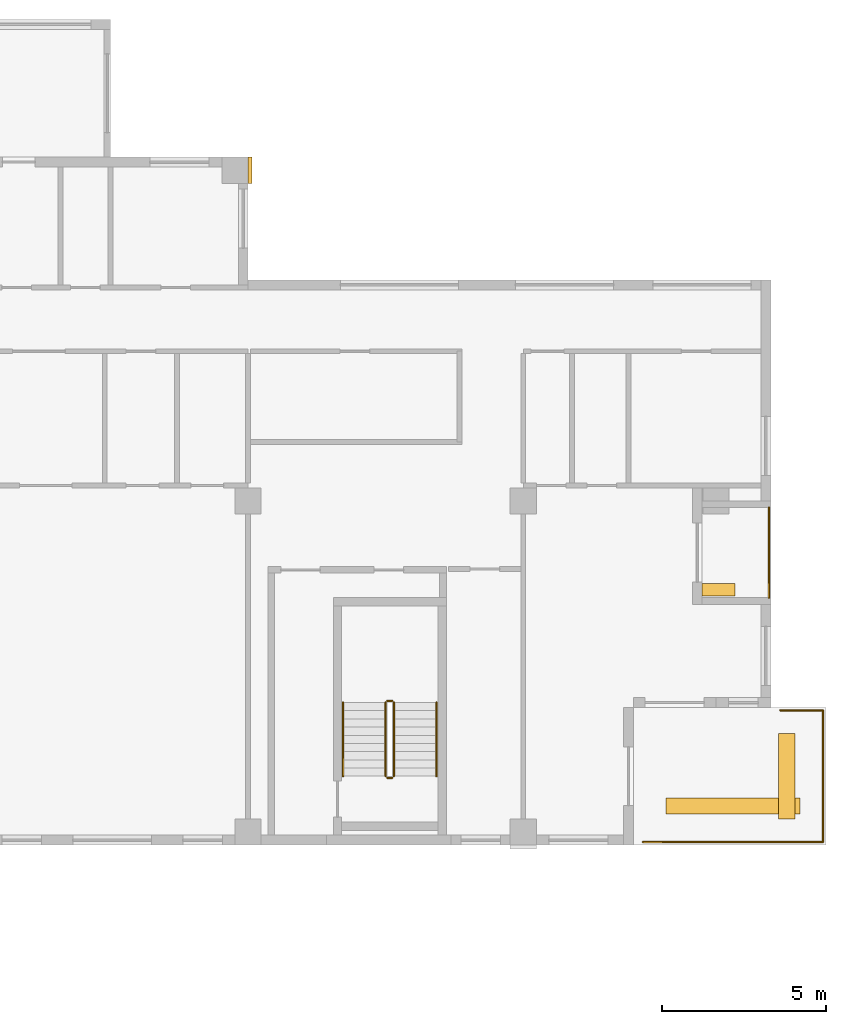
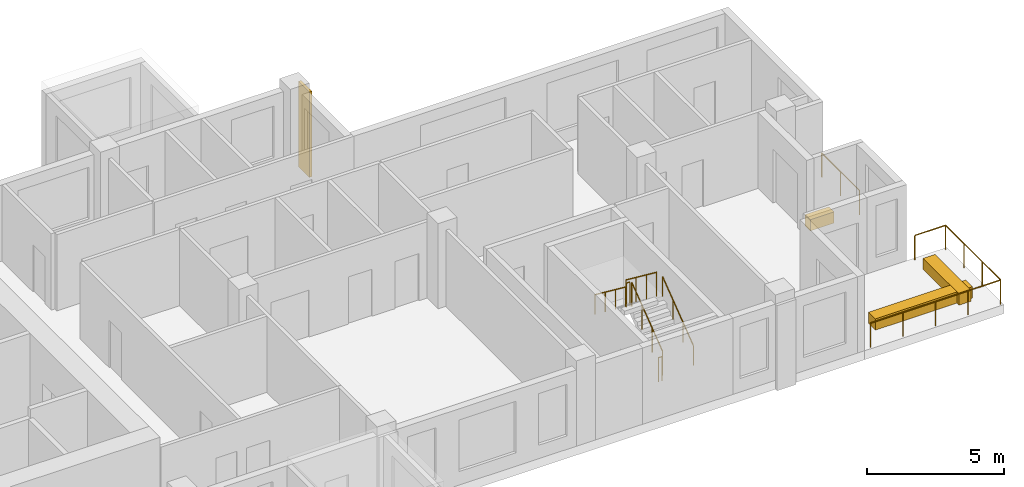
# One storey, part 11 of 12: 10 railings, 4 coverings.
"""IFC4 building model written with IfcOpenShell, lengths in metres."""

from ifc_helpers import new_model, si_unit, direction, frame, origin, origin_2d, place, context, subcontext, project, spatial, rectangle, circle, extrude, source, transform, mapped, material, type_object, element, save


model = new_model("IFC4")

# Units and contexts
model_context = context("Model", 3, precision=1e-05, world=origin(), true_north=direction((0.0, 1.0)))
body_context = subcontext(model_context, "Body", "Model", "MODEL_VIEW")
ifc_project = project(units=[si_unit("LENGTHUNIT", "METRE"), si_unit("AREAUNIT", "SQUARE_METRE"), si_unit("VOLUMEUNIT", "CUBIC_METRE"), si_unit("PLANEANGLEUNIT", "RADIAN"), si_unit("MASSUNIT", "GRAM", prefix="KILO")], contexts=[model_context])

# Site, building, storey
site_placement = place(None, origin())
site = spatial("IfcSite", under=ifc_project, at=site_placement, CompositionType="ELEMENT")
building_placement = place(site_placement, origin())
building = spatial("IfcBuilding", under=site, at=building_placement, Name="Aurelian Terraces", CompositionType="ELEMENT")
storey_placement = place(building_placement, frame((0.0, 0.0, 234.8)))
storey = spatial("IfcBuildingStorey", under=building, at=storey_placement, Name="L53", CompositionType="ELEMENT", Elevation=234.8)

# Railing
ifc_material_1 = material(Name="Anodised aluminium", Category="aluminium")
railing_type_1 = type_object("IfcRailingType", Name="GUARD-1100", PredefinedType="GUARDRAIL", material=ifc_material_1)
railing_1_placement = place(storey_placement, frame((54.046, 4.11, 0.0)))
element("IfcRailing", 1, at=railing_1_placement, inside=storey, type_object=railing_type_1, Name="Terrace guard L53 L53-X1.1", PredefinedType="GUARDRAIL", context=body_context, shape_type="SweptSolid", body=[
    extrude(circle(Radius=0.024, at=origin_2d()), frame((0.0, 0.0, 1.076), z_axis=(1.0, 0.0, 0.0), x_axis=(0.0, 1.0, 0.0)), (0.0, 0.0, 1.0), 1.304),
    extrude(circle(Radius=0.021, at=origin_2d()), origin(), (0.0, 0.0, 1.0), 1.052),
    extrude(circle(Radius=0.021, at=origin_2d()), frame((1.304, 0.0, 0.0)), (0.0, 0.0, 1.0), 1.052),
])

# Covering
ifc_material_2 = material(Name="Terracotta planter with planting soil", Category="masonry")
covering_type_1 = type_object("IfcCoveringType", Name="PLANTER-TROUGH", PredefinedType="USERDEFINED", material=ifc_material_2)
shared_shape_1 = source(origin(), body_context, "Body", "SweptSolid", [
    extrude(rectangle(XDim=4.09, YDim=0.5, at=origin_2d()), origin(), (0.0, 0.0, 1.0), 0.5),
])
covering_1_placement = place(storey_placement, frame((52.605, 1.19, 0.0), z_axis=(0.0, 0.0, 1.0), x_axis=(1.0, 0.0, 0.0)))
element("IfcCovering", 2, at=covering_1_placement, inside=storey, type_object=covering_type_1, Name="PLANTER L53 terrace L53-X1-2.1", ObjectType="PLANTER", PredefinedType="USERDEFINED", context=body_context, shape_type="MappedRepresentation", body=[
    mapped(shared_shape_1, transform((0.0, 0.0, 0.0), scale=1.0)),
])

# Railing
shared_shape_2 = source(origin(), body_context, "Body", "SweptSolid", [
    extrude(circle(Radius=0.024, at=origin_2d()), frame((0.0, 0.0, 1.076), z_axis=(0.0, -1.0, 0.0), x_axis=(1.0, 0.0, 0.0)), (0.0, 0.0, 1.0), 4.02),
    extrude(circle(Radius=0.021, at=origin_2d()), origin(), (0.0, 0.0, 1.0), 1.052),
    extrude(circle(Radius=0.021, at=origin_2d()), frame((0.0, -1.34, 0.0)), (0.0, 0.0, 1.0), 1.052),
    extrude(circle(Radius=0.021, at=origin_2d()), frame((0.0, -2.68, 0.0)), (0.0, 0.0, 1.0), 1.052),
    extrude(circle(Radius=0.021, at=origin_2d()), frame((0.0, -4.02, 0.0)), (0.0, 0.0, 1.0), 1.052),
])
railing_2_placement = place(storey_placement, frame((55.35, 4.11, 0.0)))
element("IfcRailing", 3, at=railing_2_placement, inside=storey, type_object=railing_type_1, Name="Terrace guard L53 L53-X1.2", PredefinedType="GUARDRAIL", context=body_context, shape_type="MappedRepresentation", body=[
    mapped(shared_shape_2, transform((0.0, 0.0, 0.0), scale=1.0)),
])

# Covering
shared_shape_3 = source(origin(), body_context, "Body", "SweptSolid", [
    extrude(rectangle(XDim=0.5, YDim=2.62, at=origin_2d()), origin(), (0.0, 0.0, 1.0), 0.5),
])
covering_2_placement = place(storey_placement, frame((54.25, 2.1, 0.0), z_axis=(0.0, 0.0, 1.0), x_axis=(1.0, 0.0, 0.0)))
element("IfcCovering", 4, at=covering_2_placement, inside=storey, type_object=covering_type_1, Name="PLANTER L53 terrace L53-X1-1.1", ObjectType="PLANTER", PredefinedType="USERDEFINED", context=body_context, shape_type="MappedRepresentation", body=[
    mapped(shared_shape_3, transform((0.0, 0.0, 0.0), scale=1.0)),
])

# Railings
shared_shape_4 = source(origin(), body_context, "Body", "SweptSolid", [
    extrude(circle(Radius=0.024, at=origin_2d()), frame((0.0, 0.0, 1.076), z_axis=(-1.0, 0.0, 0.0), x_axis=(0.0, -1.0, 0.0)), (0.0, 0.0, 1.0), 5.49),
    extrude(circle(Radius=0.021, at=origin_2d()), origin(), (0.0, 0.0, 1.0), 1.052),
    extrude(circle(Radius=0.021, at=origin_2d()), frame((-1.3725, 0.0, 0.0)), (0.0, 0.0, 1.0), 1.052),
    extrude(circle(Radius=0.021, at=origin_2d()), frame((-2.745, 0.0, 0.0)), (0.0, 0.0, 1.0), 1.052),
    extrude(circle(Radius=0.021, at=origin_2d()), frame((-4.1175, 0.0, 0.0)), (0.0, 0.0, 1.0), 1.052),
    extrude(circle(Radius=0.021, at=origin_2d()), frame((-5.49, 0.0, 0.0)), (0.0, 0.0, 1.0), 1.052),
])
railing_3_placement = place(storey_placement, frame((55.35, 0.09, 0.0)))
element("IfcRailing", 5, at=railing_3_placement, inside=storey, type_object=railing_type_1, Name="Terrace guard L53 L53-X1.3", PredefinedType="GUARDRAIL", context=body_context, shape_type="MappedRepresentation", body=[
    mapped(shared_shape_4, transform((0.0, 0.0, 0.0), scale=1.0)),
])
shared_shape_5 = source(origin(), body_context, "Body", "SweptSolid", [
    extrude(circle(Radius=0.024, at=origin_2d()), frame((0.0, 0.0, 1.076), z_axis=(0.0, 1.0, 0.0), x_axis=(-1.0, 0.0, 0.0)), (0.0, 0.0, 1.0), 2.75),
    extrude(circle(Radius=0.021, at=origin_2d()), origin(), (0.0, 0.0, 1.0), 1.052),
    extrude(circle(Radius=0.021, at=origin_2d()), frame((0.0, 1.375, 0.0)), (0.0, 0.0, 1.0), 1.052),
    extrude(circle(Radius=0.021, at=origin_2d()), frame((0.0, 2.75, 0.0)), (0.0, 0.0, 1.0), 1.052),
])
railing_4_placement = place(storey_placement, frame((53.7, 7.55, 0.05)))
element("IfcRailing", 6, at=railing_4_placement, inside=storey, type_object=railing_type_1, Name="Loggia guard L53 F04.11", PredefinedType="GUARDRAIL", context=body_context, shape_type="MappedRepresentation", body=[
    mapped(shared_shape_5, transform((0.0, 0.0, 0.0), scale=1.0)),
])

# Coverings
shared_shape_6 = source(origin(), body_context, "Body", "SweptSolid", [
    extrude(rectangle(XDim=1.0, YDim=0.38, at=origin_2d()), origin(), (0.0, 0.0, 1.0), 0.5),
])
covering_3_placement = place(storey_placement, frame((52.16, 7.79, 0.0), z_axis=(0.0, 0.0, 1.0), x_axis=(1.0, 0.0, 0.0)))
element("IfcCovering", 7, at=covering_3_placement, inside=storey, type_object=covering_type_1, Name="PLANTER L53 L53-F04-11", ObjectType="PLANTER", PredefinedType="USERDEFINED", context=body_context, shape_type="MappedRepresentation", body=[
    mapped(shared_shape_6, transform((0.0, 0.0, 0.0), scale=1.0)),
])
ifc_material_3 = material(Name="Terracotta rainscreen cladding relief", Category="masonry")
covering_type_2 = type_object("IfcCoveringType", Name="BAGUETTE-TC", PredefinedType="CLADDING", material=ifc_material_3)
shared_shape_7 = source(origin(), body_context, "Body", "SweptSolid", [
    extrude(rectangle(XDim=0.12, YDim=0.8, at=origin_2d()), origin(), (0.0, 0.0, 1.0), 3.8),
])
covering_4_placement = place(storey_placement, frame((37.86, 20.6, -0.4), z_axis=(0.0, 0.0, 1.0), x_axis=(1.0, 0.0, 0.0)))
element("IfcCovering", 8, at=covering_4_placement, inside=storey, type_object=covering_type_2, Name="BAGUETTE pier L53 5", PredefinedType="CLADDING", context=body_context, shape_type="MappedRepresentation", body=[
    mapped(shared_shape_7, transform((0.0, 0.0, 0.0), scale=1.0)),
])

# Railings
ifc_material_4 = material(Name="Stainless steel", Category="steel")
railing_type_2 = type_object("IfcRailingType", Name="Stair guard 1100", PredefinedType="GUARDRAIL", material=ifc_material_4)
shared_shape_8 = source(origin(), body_context, "Body", "SweptSolid", [
    extrude(circle(Radius=0.024, at=origin_2d()), frame((0.0, 0.0, 1.076), z_axis=(-1.0, 0.0, 0.0), x_axis=(0.0, -1.0, 0.0)), (0.0, 0.0, 1.0), 0.15),
    extrude(circle(Radius=0.021, at=origin_2d()), origin(), (0.0, 0.0, 1.0), 1.052),
    extrude(circle(Radius=0.021, at=origin_2d()), frame((-0.15, 0.0, 0.0)), (0.0, 0.0, 1.0), 1.052),
])
for number, where, name in (
    (9, (42.2, 4.4, 1.9), "L53 S2 stair guard 2"),
    (10, (42.2, 2.05, 0.0), "L53 S2 stair guard 4"),
):
    element("IfcRailing", number, at=place(storey_placement, frame(where)), inside=storey, type_object=railing_type_2, Name=name, PredefinedType="GUARDRAIL", context=body_context, shape_type="MappedRepresentation", body=[
        mapped(shared_shape_8, transform((0.0, 0.0, 0.0), scale=1.0)),
    ])
shared_shape_9 = source(origin(), body_context, "Body", "SweptSolid", [
    extrude(circle(Radius=0.024, at=origin_2d()), frame((0.0, 0.0, 1.076), z_axis=(0.0, 0.796162194123, 0.605083267534), x_axis=(-1.0, 0.0, 0.0)), (0.0, 0.0, 1.0), 2.8261),
    extrude(circle(Radius=0.021, at=origin_2d()), origin(), (0.0, 0.0, 1.0), 1.052),
    extrude(circle(Radius=0.021, at=origin_2d()), frame((0.0, 0.75, 0.57)), (0.0, 0.0, 1.0), 1.052),
    extrude(circle(Radius=0.021, at=origin_2d()), frame((0.0, 1.5, 1.14)), (0.0, 0.0, 1.0), 1.052),
    extrude(circle(Radius=0.021, at=origin_2d()), frame((0.0, 2.25, 1.71)), (0.0, 0.0, 1.0), 1.052),
])
railing_5_placement = place(storey_placement, frame((42.25, 2.1, 0.19)))
element("IfcRailing", 11, at=railing_5_placement, inside=storey, type_object=railing_type_2, Name="L53 S2 stair guard 1", PredefinedType="GUARDRAIL", context=body_context, shape_type="MappedRepresentation", body=[
    mapped(shared_shape_9, transform((0.0, 0.0, 0.0), scale=1.0)),
])
shared_shape_10 = source(origin(), body_context, "Body", "SweptSolid", [
    extrude(circle(Radius=0.024, at=origin_2d()), frame((0.0, 0.0, 1.076), z_axis=(0.0, -0.796162194123, 0.605083267534), x_axis=(1.0, 0.0, 0.0)), (0.0, 0.0, 1.0), 2.8261),
    extrude(circle(Radius=0.021, at=origin_2d()), origin(), (0.0, 0.0, 1.0), 1.052),
    extrude(circle(Radius=0.021, at=origin_2d()), frame((0.0, -0.75, 0.57)), (0.0, 0.0, 1.0), 1.052),
    extrude(circle(Radius=0.021, at=origin_2d()), frame((0.0, -1.5, 1.14)), (0.0, 0.0, 1.0), 1.052),
    extrude(circle(Radius=0.021, at=origin_2d()), frame((0.0, -2.25, 1.71)), (0.0, 0.0, 1.0), 1.052),
])
railing_6_placement = place(storey_placement, frame((42.0, 4.35, 2.09)))
element("IfcRailing", 12, at=railing_6_placement, inside=storey, type_object=railing_type_2, Name="L53 S2 stair guard 3", PredefinedType="GUARDRAIL", context=body_context, shape_type="MappedRepresentation", body=[
    mapped(shared_shape_10, transform((0.0, 0.0, 0.0), scale=1.0)),
])
railing_type_3 = type_object("IfcRailingType", Name="Stair handrail", PredefinedType="HANDRAIL", material=ifc_material_4)
shared_shape_11 = source(origin(), body_context, "Body", "SweptSolid", [
    extrude(circle(Radius=0.024, at=origin_2d()), frame((0.0, 0.0, 0.876), z_axis=(0.0, 0.796162194123, 0.605083267534), x_axis=(-1.0, 0.0, 0.0)), (0.0, 0.0, 1.0), 2.8261),
    extrude(circle(Radius=0.021, at=origin_2d()), origin(), (0.0, 0.0, 1.0), 0.852),
    extrude(circle(Radius=0.021, at=origin_2d()), frame((0.0, 0.75, 0.57)), (0.0, 0.0, 1.0), 0.852),
    extrude(circle(Radius=0.021, at=origin_2d()), frame((0.0, 1.5, 1.14)), (0.0, 0.0, 1.0), 0.852),
    extrude(circle(Radius=0.021, at=origin_2d()), frame((0.0, 2.25, 1.71)), (0.0, 0.0, 1.0), 0.852),
])
railing_7_placement = place(storey_placement, frame((43.55, 2.1, 0.19)))
element("IfcRailing", 13, at=railing_7_placement, inside=storey, type_object=railing_type_3, Name="L53 S2 stair handrail 1", PredefinedType="HANDRAIL", context=body_context, shape_type="MappedRepresentation", body=[
    mapped(shared_shape_11, transform((0.0, 0.0, 0.0), scale=1.0)),
])
shared_shape_12 = source(origin(), body_context, "Body", "SweptSolid", [
    extrude(circle(Radius=0.024, at=origin_2d()), frame((0.0, 0.0, 0.876), z_axis=(0.0, -0.796162194123, 0.605083267534), x_axis=(1.0, 0.0, 0.0)), (0.0, 0.0, 1.0), 2.8261),
    extrude(circle(Radius=0.021, at=origin_2d()), origin(), (0.0, 0.0, 1.0), 0.852),
    extrude(circle(Radius=0.021, at=origin_2d()), frame((0.0, -0.75, 0.57)), (0.0, 0.0, 1.0), 0.852),
    extrude(circle(Radius=0.021, at=origin_2d()), frame((0.0, -1.5, 1.14)), (0.0, 0.0, 1.0), 0.852),
    extrude(circle(Radius=0.021, at=origin_2d()), frame((0.0, -2.25, 1.71)), (0.0, 0.0, 1.0), 0.852),
])
railing_8_placement = place(storey_placement, frame((40.7, 4.35, 2.09)))
element("IfcRailing", 14, at=railing_8_placement, inside=storey, type_object=railing_type_3, Name="L53 S2 stair handrail 2", PredefinedType="HANDRAIL", context=body_context, shape_type="MappedRepresentation", body=[
    mapped(shared_shape_12, transform((0.0, 0.0, 0.0), scale=1.0)),
])

save(model, "model.ifc")
